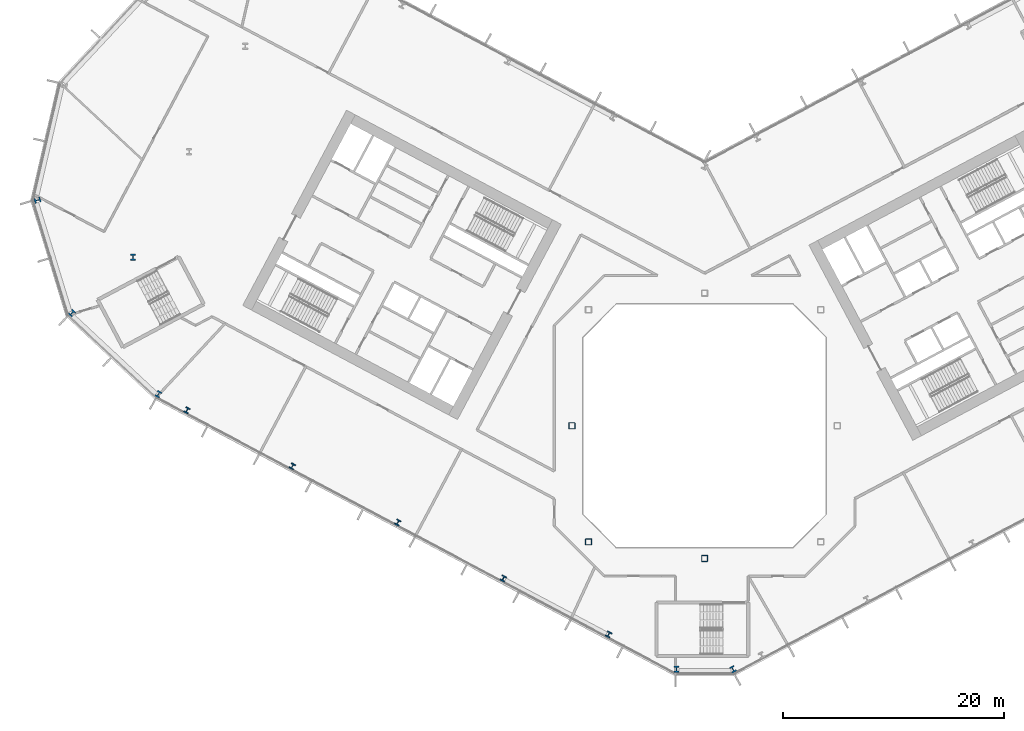
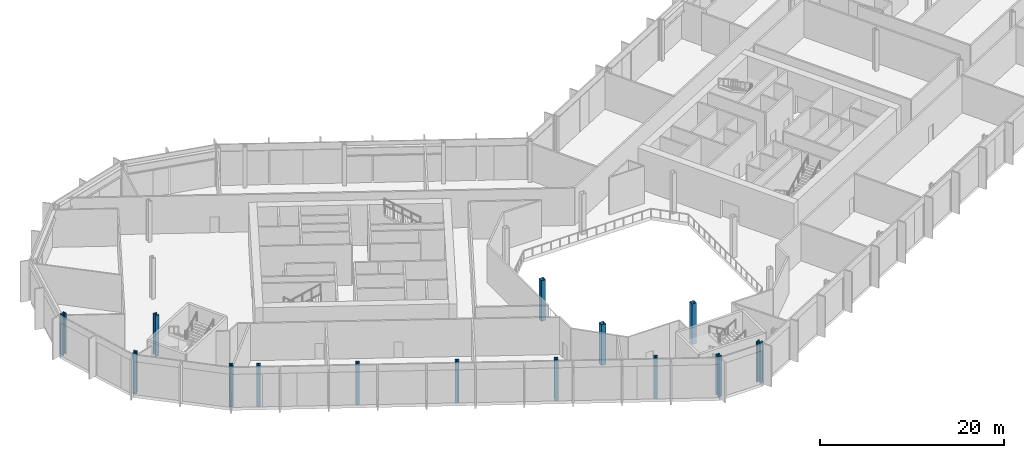
# One storey, part 1 of 31: 14 columns.
"""IFC4 building model written with IfcOpenShell, lengths in metres."""

from ifc_helpers import new_model, si_unit, direction, frame, origin, origin_2d, place, context, subcontext, project, spatial, hollow_rectangle, i_section, extrude, material, material_profile, profile_set, type_object, element, save


model = new_model("IFC4")

# Units and contexts
model_context = context("Model", 3, precision=1e-05, world=origin(), true_north=direction((0.0, 1.0)))
body_context = subcontext(model_context, "Body", "Model", "MODEL_VIEW")
ifc_project = project(units=[si_unit("LENGTHUNIT", "METRE"), si_unit("AREAUNIT", "SQUARE_METRE"), si_unit("VOLUMEUNIT", "CUBIC_METRE"), si_unit("PLANEANGLEUNIT", "RADIAN"), si_unit("MASSUNIT", "GRAM", prefix="KILO")], contexts=[model_context])

# Site, building, storey
site_placement = place(None, origin())
site = spatial("IfcSite", under=ifc_project, at=site_placement, CompositionType="ELEMENT")
building_placement = place(site_placement, origin())
building = spatial("IfcBuilding", under=site, at=building_placement, Name="Cormorant Relay Tower", CompositionType="ELEMENT")
storey_placement = place(building_placement, frame((0.0, 0.0, 33.800048828125)))
storey = spatial("IfcBuildingStorey", under=building, at=storey_placement, Name="L06", CompositionType="ELEMENT", Elevation=33.800048828125)

# Columns
ifc_material_1 = material(Name="Steel ASTM A1085 Grade A (Fy 345 MPa)", Category="steel")
ifc_material_profile_1 = material_profile(ifc_material_1, hollow_rectangle(XDim=0.558837890625, YDim=0.558837890625, WallThickness=0.023681640625, InnerFilletRadius=0.01171875, OuterFilletRadius=0.035400390625, at=origin_2d()), Name="HSS559x559x24")
ifc_profile_set_1 = profile_set([ifc_material_profile_1], Name="Steel ASTM A1085 Grade A (Fy 345 MPa)")
column_type_1 = type_object("IfcColumnType", Name="Column HSS559x559x24", PredefinedType="COLUMN", material=ifc_profile_set_1)
for number, where, z_axis, x_axis, name in (
    (1, (0.0, -12.0, 0.0), (0.0, 0.0, 1.0), (1.0, 0.0, 0.0), "Column L06-007"),
    (2, (-10.5, -10.5, 0.0), (0.0, 0.0, 1.0), (1.0, 0.0, 0.0), "Column L06-009"),
    (3, (-12.0, 0.0, 0.0), (0.0, 0.0, 1.0), (1.0, 0.0, 0.0), "Column L06-015"),
):
    element("IfcColumn", number, at=place(storey_placement, frame(where, z_axis=z_axis, x_axis=x_axis)), inside=storey, type_object=column_type_1, Name=name, PredefinedType="COLUMN", context=body_context, shape_type="SweptSolid", body=[
        extrude(hollow_rectangle(XDim=0.558837890625, YDim=0.558837890625, WallThickness=0.023681640625, InnerFilletRadius=0.01171875, OuterFilletRadius=0.035400390625, at=origin_2d()), origin(), (0.0, 0.0, 1.0), 5.39990234375),
    ])
ifc_material_2 = material(Name="Steel ASTM A992 (Fy 345 MPa)", Category="steel")
ifc_material_profile_2 = material_profile(ifc_material_2, i_section(OverallWidth=0.45458984375, OverallDepth=0.569091796875, WebThickness=0.077880859375, FlangeThickness=0.124755859375, FilletRadius=0.015380859375, at=origin_2d()), Name="W360x1086")
ifc_profile_set_2 = profile_set([ifc_material_profile_2], Name="Steel ASTM A992 (Fy 345 MPa)")
column_type_2 = type_object("IfcColumnType", Name="Column W360x1086", PredefinedType="COLUMN", material=ifc_profile_set_2)
for number, where, z_axis, x_axis, name in (
    (4, (-2.55908203125, -22.01708984375, 0.0), (0.0, 0.0, 1.0), (1.0, 0.0, 0.0), "Column L06-001"),
    (5, (2.55908203125, -22.01708984375, 0.0), (0.0, 0.0, 1.0), (0.882947592859, 0.469471562786, 0.0), "Column L06-002"),
    (6, (-49.39404296875, 2.861083984375, 0.0), (0.0, 0.0, 1.0), (0.882947592859, -0.469471562786, 0.0), "Column L06-018"),
    (7, (-57.218994140625, 10.198974609375, 0.0), (0.0, 0.0, 1.0), (0.731353701619, -0.681998360062, 0.0), "Column L06-021"),
    (8, (-51.68994140625, 15.251953125, 0.0), (0.0, 0.0, 1.0), (1.0, 0.0, 0.0), "Column L06-027"),
    (9, (-60.340087890625, 20.406982421875, 0.0), (0.0, 0.0, 1.0), (0.292371704723, -0.956304755963, 0.0), "Column L06-030"),
):
    element("IfcColumn", number, at=place(storey_placement, frame(where, z_axis=z_axis, x_axis=x_axis)), inside=storey, type_object=column_type_2, Name=name, PredefinedType="COLUMN", context=body_context, shape_type="SweptSolid", body=[
        extrude(i_section(OverallWidth=0.45458984375, OverallDepth=0.569091796875, WebThickness=0.077880859375, FlangeThickness=0.124755859375, FilletRadius=0.015380859375, at=origin_2d()), origin(), (0.0, 0.0, 1.0), 5.39990234375),
    ])
ifc_material_3 = material(Name="Steel ASTM A992 (Fy 345 MPa)", Category="steel")
ifc_material_profile_3 = material_profile(ifc_material_3, i_section(OverallWidth=0.43701171875, OverallDepth=0.51318359375, WebThickness=0.060546875, FlangeThickness=0.096923828125, FilletRadius=0.015380859375, at=origin_2d()), Name="W360x818")
ifc_profile_set_3 = profile_set([ifc_material_profile_3], Name="Steel ASTM A992 (Fy 345 MPa)")
column_type_3 = type_object("IfcColumnType", Name="Column W360x818", PredefinedType="COLUMN", material=ifc_profile_set_3)
for number, where, z_axis, x_axis, name in (
    (10, (-8.677001953125, -18.8759765625, 0.0), (0.0, 0.0, 1.0), (0.882947592859, -0.469471562786, 0.0), "Column L06-004"),
    (11, (-18.212890625, -13.804931640625, 0.0), (0.0, 0.0, 1.0), (0.882947592859, -0.469471562786, 0.0), "Column L06-006"),
    (12, (-27.7490234375, -8.735107421875, 0.0), (0.0, 0.0, 1.0), (0.882947592859, -0.469471562786, 0.0), "Column L06-011"),
    (13, (-37.284912109375, -3.6650390625, 0.0), (0.0, 0.0, 1.0), (0.882947592859, -0.469471562786, 0.0), "Column L06-013"),
    (14, (-46.821044921875, 1.405029296875, 0.0), (0.0, 0.0, 1.0), (0.882947592859, -0.469471562786, 0.0), "Column L06-017"),
):
    element("IfcColumn", number, at=place(storey_placement, frame(where, z_axis=z_axis, x_axis=x_axis)), inside=storey, type_object=column_type_3, Name=name, PredefinedType="COLUMN", context=body_context, shape_type="SweptSolid", body=[
        extrude(i_section(OverallWidth=0.43701171875, OverallDepth=0.51318359375, WebThickness=0.060546875, FlangeThickness=0.096923828125, FilletRadius=0.015380859375, at=origin_2d()), origin(), (0.0, 0.0, 1.0), 5.39990234375),
    ])

save(model, "model.ifc")
